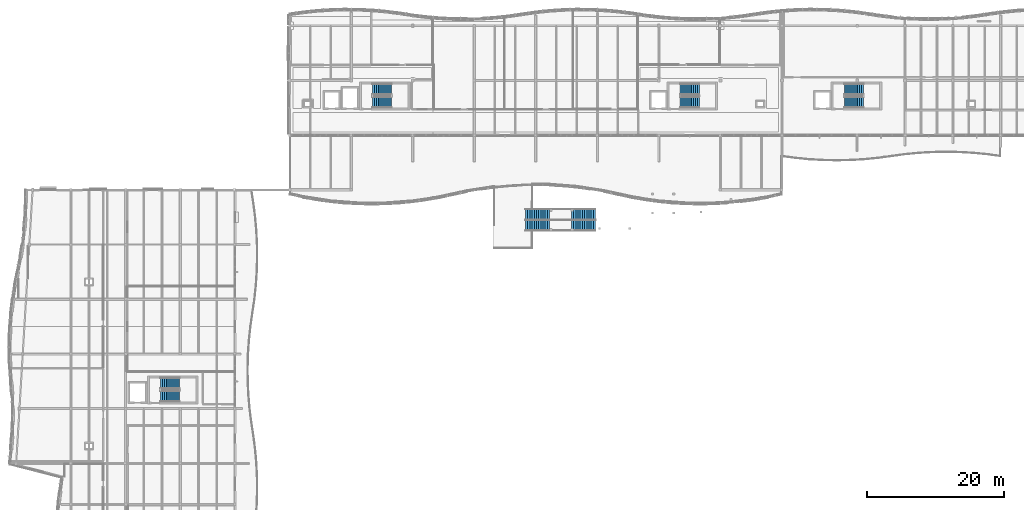
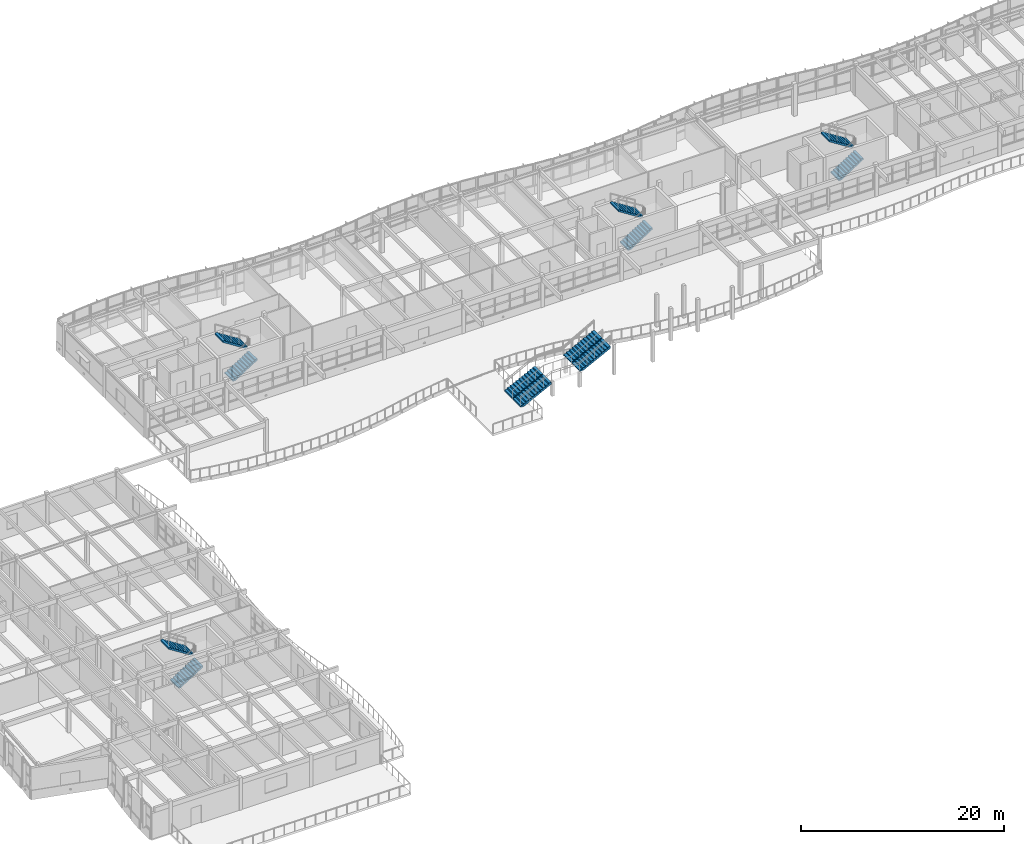
# One storey, part 44 of 63: 12 stair flights, 5 elements without a shape of their own.
"""IFC4 building model written with IfcOpenShell, lengths in metres."""

from ifc_helpers import new_model, si_unit, direction, frame, origin, place, context, subcontext, project, spatial, polyline, outline, extrude, material, type_object, element, aggregate, save


model = new_model("IFC4")

# Units and contexts
model_context = context("Model", 3, precision=1e-05, world=origin(), true_north=direction((0.0, 1.0)))
body_context = subcontext(model_context, "Body", "Model", "MODEL_VIEW")
ifc_project = project(units=[si_unit("LENGTHUNIT", "METRE"), si_unit("AREAUNIT", "SQUARE_METRE"), si_unit("VOLUMEUNIT", "CUBIC_METRE"), si_unit("PLANEANGLEUNIT", "RADIAN"), si_unit("MASSUNIT", "GRAM", prefix="KILO")], contexts=[model_context])

# Site, building, storey
site_placement = place(None, origin())
site = spatial("IfcSite", under=ifc_project, at=site_placement, CompositionType="ELEMENT")
building_placement = place(site_placement, origin())
building = spatial("IfcBuilding", under=site, at=building_placement, Name="Tonlespit Floodbar School", CompositionType="ELEMENT")
storey_placement = place(building_placement, frame((0.0, 0.0, 8.39990234375)))
storey = spatial("IfcBuildingStorey", under=building, at=storey_placement, Name="L02", CompositionType="ELEMENT", Elevation=8.39990234375)

# Stair, stair flights
ifc_material_1 = material(Name="Concrete C40/50", Category="concrete")
stair_type_1 = type_object("IfcStairType", Name="Stair_Core_Upper", PredefinedType="HALF_TURN_STAIR", material=ifc_material_1)
stair_1_placement = place(storey_placement, origin())
stair_1 = element("IfcStair", 1, at=stair_1_placement, inside=storey, type_object=stair_type_1, Name="L02 Core C1 escape stair", PredefinedType="HALF_TURN_STAIR")
stair_flight_type_1 = type_object("IfcStairFlightType", Name="Flight_Core_Upper", PredefinedType="STRAIGHT", material=ifc_material_1)
stair_flight_1_placement = place(storey_placement, frame((56.1201171875, 108.81005859375, 0.0), z_axis=(0.0, 0.0, 1.0), x_axis=(1.0, 0.0, 0.0)))
stair_flight_1 = element("IfcStairFlight", 2, at=stair_flight_1_placement, type_object=stair_flight_type_1, Name="ST-C1 flight 1", NumberOfRisers=11, NumberOfTreads=10, PredefinedType="STRAIGHT", RiserHeight=0.177272727, TreadLength=0.28, context=body_context, shape_type="SweptSolid", body=[
    extrude(outline(polyline([(0.0, 0.0), (0.0, 0.17724609375), (0.280029296875, 0.17724609375), (0.280029296875, 0.3544921875), (0.56005859375, 0.3544921875), (0.56005859375, 0.53173828125), (0.840087890625, 0.53173828125), (0.840087890625, 0.708984375), (1.1201171875, 0.708984375), (1.1201171875, 0.886474609375), (1.39990234375, 0.886474609375), (1.39990234375, 1.063720703125), (1.679931640625, 1.063720703125), (1.679931640625, 1.240966796875), (1.9599609375, 1.240966796875), (1.9599609375, 1.418212890625), (2.239990234375, 1.418212890625), (2.239990234375, 1.595458984375), (2.52001953125, 1.595458984375), (2.52001953125, 1.772705078125), (2.800048828125, 1.772705078125), (2.800048828125, 1.949951171875), (2.800048828125, 1.59521484375), (0.2802734375, 0.0), (0.0, 0.0)])), frame((0.0, 0.81005859375, 0.0), z_axis=(0.0, -1.0, 0.0), x_axis=(1.0, 0.0, 0.0)), (0.0, 0.0, 1.0), 1.6201171875),
])
stair_flight_2_placement = place(storey_placement, frame((58.919921875, 110.72998046875, 1.9501953125), z_axis=(0.0, 0.0, 1.0), x_axis=(-1.0, 0.0, 0.0)))
stair_flight_2 = element("IfcStairFlight", 3, at=stair_flight_2_placement, type_object=stair_flight_type_1, Name="ST-C1 flight 2", NumberOfRisers=11, NumberOfTreads=10, PredefinedType="STRAIGHT", RiserHeight=0.177272727, TreadLength=0.28, context=body_context, shape_type="SweptSolid", body=[
    extrude(outline(polyline([(0.0, 0.0), (0.0, 0.17724609375), (0.280029296875, 0.17724609375), (0.280029296875, 0.3544921875), (0.56005859375, 0.3544921875), (0.56005859375, 0.53173828125), (0.840087890625, 0.53173828125), (0.840087890625, 0.708984375), (1.1201171875, 0.708984375), (1.1201171875, 0.886474609375), (1.39990234375, 0.886474609375), (1.39990234375, 1.063720703125), (1.679931640625, 1.063720703125), (1.679931640625, 1.240966796875), (1.9599609375, 1.240966796875), (1.9599609375, 1.418212890625), (2.239990234375, 1.418212890625), (2.239990234375, 1.595458984375), (2.52001953125, 1.595458984375), (2.52001953125, 1.772705078125), (2.800048828125, 1.772705078125), (2.800048828125, 1.949951171875), (2.800048828125, 1.59521484375), (0.2802734375, 0.0), (0.0, 0.0)])), frame((0.0, 0.81005859375, 0.0), z_axis=(0.0, -1.0, 0.0), x_axis=(1.0, 0.0, 0.0)), (0.0, 0.0, 1.0), 1.6201171875),
])
aggregate(stair_1, [stair_flight_1, stair_flight_2])

stair_2_placement = place(storey_placement, origin())
stair_2 = element("IfcStair", 4, at=stair_2_placement, inside=storey, type_object=stair_type_1, Name="L02 Core C2 escape stair", PredefinedType="HALF_TURN_STAIR")
stair_flight_3_placement = place(storey_placement, frame((101.1201171875, 108.81005859375, 0.0), z_axis=(0.0, 0.0, 1.0), x_axis=(1.0, 0.0, 0.0)))
stair_flight_3 = element("IfcStairFlight", 5, at=stair_flight_3_placement, type_object=stair_flight_type_1, Name="ST-C2 flight 1", NumberOfRisers=11, NumberOfTreads=10, PredefinedType="STRAIGHT", RiserHeight=0.177272727, TreadLength=0.28, context=body_context, shape_type="SweptSolid", body=[
    extrude(outline(polyline([(0.0, 0.0), (0.0, 0.17724609375), (0.280029296875, 0.17724609375), (0.280029296875, 0.3544921875), (0.56005859375, 0.3544921875), (0.56005859375, 0.53173828125), (0.840087890625, 0.53173828125), (0.840087890625, 0.708984375), (1.1201171875, 0.708984375), (1.1201171875, 0.886474609375), (1.39990234375, 0.886474609375), (1.39990234375, 1.063720703125), (1.679931640625, 1.063720703125), (1.679931640625, 1.240966796875), (1.9599609375, 1.240966796875), (1.9599609375, 1.418212890625), (2.239990234375, 1.418212890625), (2.239990234375, 1.595458984375), (2.52001953125, 1.595458984375), (2.52001953125, 1.772705078125), (2.800048828125, 1.772705078125), (2.800048828125, 1.949951171875), (2.800048828125, 1.59521484375), (0.2802734375, 0.0), (0.0, 0.0)])), frame((0.0, 0.81005859375, 0.0), z_axis=(0.0, -1.0, 0.0), x_axis=(1.0, 0.0, 0.0)), (0.0, 0.0, 1.0), 1.6201171875),
])
stair_flight_4_placement = place(storey_placement, frame((103.919921875, 110.72998046875, 1.9501953125), z_axis=(0.0, 0.0, 1.0), x_axis=(-1.0, 0.0, 0.0)))
stair_flight_4 = element("IfcStairFlight", 6, at=stair_flight_4_placement, type_object=stair_flight_type_1, Name="ST-C2 flight 2", NumberOfRisers=11, NumberOfTreads=10, PredefinedType="STRAIGHT", RiserHeight=0.177272727, TreadLength=0.28, context=body_context, shape_type="SweptSolid", body=[
    extrude(outline(polyline([(0.0, 0.0), (0.0, 0.17724609375), (0.280029296875, 0.17724609375), (0.280029296875, 0.3544921875), (0.56005859375, 0.3544921875), (0.56005859375, 0.53173828125), (0.840087890625, 0.53173828125), (0.840087890625, 0.708984375), (1.1201171875, 0.708984375), (1.1201171875, 0.886474609375), (1.39990234375, 0.886474609375), (1.39990234375, 1.063720703125), (1.679931640625, 1.063720703125), (1.679931640625, 1.240966796875), (1.9599609375, 1.240966796875), (1.9599609375, 1.418212890625), (2.239990234375, 1.418212890625), (2.239990234375, 1.595458984375), (2.52001953125, 1.595458984375), (2.52001953125, 1.772705078125), (2.800048828125, 1.772705078125), (2.800048828125, 1.949951171875), (2.800048828125, 1.59521484375), (0.2802734375, 0.0), (0.0, 0.0)])), frame((0.0, 0.81005859375, 0.0), z_axis=(0.0, -1.0, 0.0), x_axis=(1.0, 0.0, 0.0)), (0.0, 0.0, 1.0), 1.6201171875),
])
aggregate(stair_2, [stair_flight_3, stair_flight_4])

stair_3_placement = place(storey_placement, origin())
stair_3 = element("IfcStair", 7, at=stair_3_placement, inside=storey, type_object=stair_type_1, Name="L02 Core C3 escape stair", PredefinedType="HALF_TURN_STAIR")
stair_flight_5_placement = place(storey_placement, frame((25.1201171875, 65.81005859375, 0.0), z_axis=(0.0, 0.0, 1.0), x_axis=(1.0, 0.0, 0.0)))
stair_flight_5 = element("IfcStairFlight", 8, at=stair_flight_5_placement, type_object=stair_flight_type_1, Name="ST-C3 flight 1", NumberOfRisers=11, NumberOfTreads=10, PredefinedType="STRAIGHT", RiserHeight=0.177272727, TreadLength=0.28, context=body_context, shape_type="SweptSolid", body=[
    extrude(outline(polyline([(0.0, 0.0), (0.0, 0.17724609375), (0.280029296875, 0.17724609375), (0.280029296875, 0.3544921875), (0.56005859375, 0.3544921875), (0.56005859375, 0.53173828125), (0.840087890625, 0.53173828125), (0.840087890625, 0.708984375), (1.1201171875, 0.708984375), (1.1201171875, 0.886474609375), (1.39990234375, 0.886474609375), (1.39990234375, 1.063720703125), (1.679931640625, 1.063720703125), (1.679931640625, 1.240966796875), (1.9599609375, 1.240966796875), (1.9599609375, 1.418212890625), (2.239990234375, 1.418212890625), (2.239990234375, 1.595458984375), (2.52001953125, 1.595458984375), (2.52001953125, 1.772705078125), (2.800048828125, 1.772705078125), (2.800048828125, 1.949951171875), (2.800048828125, 1.59521484375), (0.2802734375, 0.0), (0.0, 0.0)])), frame((0.0, 0.81005859375, 0.0), z_axis=(0.0, -1.0, 0.0), x_axis=(1.0, 0.0, 0.0)), (0.0, 0.0, 1.0), 1.6201171875),
])
stair_flight_6_placement = place(storey_placement, frame((27.919921875, 67.72998046875, 1.9501953125), z_axis=(0.0, 0.0, 1.0), x_axis=(-1.0, 0.0, 0.0)))
stair_flight_6 = element("IfcStairFlight", 9, at=stair_flight_6_placement, type_object=stair_flight_type_1, Name="ST-C3 flight 2", NumberOfRisers=11, NumberOfTreads=10, PredefinedType="STRAIGHT", RiserHeight=0.177272727, TreadLength=0.28, context=body_context, shape_type="SweptSolid", body=[
    extrude(outline(polyline([(0.0, 0.0), (0.0, 0.17724609375), (0.280029296875, 0.17724609375), (0.280029296875, 0.3544921875), (0.56005859375, 0.3544921875), (0.56005859375, 0.53173828125), (0.840087890625, 0.53173828125), (0.840087890625, 0.708984375), (1.1201171875, 0.708984375), (1.1201171875, 0.886474609375), (1.39990234375, 0.886474609375), (1.39990234375, 1.063720703125), (1.679931640625, 1.063720703125), (1.679931640625, 1.240966796875), (1.9599609375, 1.240966796875), (1.9599609375, 1.418212890625), (2.239990234375, 1.418212890625), (2.239990234375, 1.595458984375), (2.52001953125, 1.595458984375), (2.52001953125, 1.772705078125), (2.800048828125, 1.772705078125), (2.800048828125, 1.949951171875), (2.800048828125, 1.59521484375), (0.2802734375, 0.0), (0.0, 0.0)])), frame((0.0, 0.81005859375, 0.0), z_axis=(0.0, -1.0, 0.0), x_axis=(1.0, 0.0, 0.0)), (0.0, 0.0, 1.0), 1.6201171875),
])
aggregate(stair_3, [stair_flight_5, stair_flight_6])

stair_4_placement = place(storey_placement, origin())
stair_4 = element("IfcStair", 10, at=stair_4_placement, inside=storey, type_object=stair_type_1, Name="L02 Core C4 escape stair", PredefinedType="HALF_TURN_STAIR")
stair_flight_7_placement = place(storey_placement, frame((125.1201171875, 108.81005859375, 0.0), z_axis=(0.0, 0.0, 1.0), x_axis=(1.0, 0.0, 0.0)))
stair_flight_7 = element("IfcStairFlight", 11, at=stair_flight_7_placement, type_object=stair_flight_type_1, Name="ST-C4 flight 1", NumberOfRisers=11, NumberOfTreads=10, PredefinedType="STRAIGHT", RiserHeight=0.177272727, TreadLength=0.28, context=body_context, shape_type="SweptSolid", body=[
    extrude(outline(polyline([(0.0, 0.0), (0.0, 0.17724609375), (0.280029296875, 0.17724609375), (0.280029296875, 0.3544921875), (0.56005859375, 0.3544921875), (0.56005859375, 0.53173828125), (0.840087890625, 0.53173828125), (0.840087890625, 0.708984375), (1.1201171875, 0.708984375), (1.1201171875, 0.886474609375), (1.39990234375, 0.886474609375), (1.39990234375, 1.063720703125), (1.679931640625, 1.063720703125), (1.679931640625, 1.240966796875), (1.9599609375, 1.240966796875), (1.9599609375, 1.418212890625), (2.239990234375, 1.418212890625), (2.239990234375, 1.595458984375), (2.52001953125, 1.595458984375), (2.52001953125, 1.772705078125), (2.800048828125, 1.772705078125), (2.800048828125, 1.949951171875), (2.800048828125, 1.59521484375), (0.2802734375, 0.0), (0.0, 0.0)])), frame((0.0, 0.81005859375, 0.0), z_axis=(0.0, -1.0, 0.0), x_axis=(1.0, 0.0, 0.0)), (0.0, 0.0, 1.0), 1.6201171875),
])
stair_flight_8_placement = place(storey_placement, frame((127.919921875, 110.72998046875, 1.9501953125), z_axis=(0.0, 0.0, 1.0), x_axis=(-1.0, 0.0, 0.0)))
stair_flight_8 = element("IfcStairFlight", 12, at=stair_flight_8_placement, type_object=stair_flight_type_1, Name="ST-C4 flight 2", NumberOfRisers=11, NumberOfTreads=10, PredefinedType="STRAIGHT", RiserHeight=0.177272727, TreadLength=0.28, context=body_context, shape_type="SweptSolid", body=[
    extrude(outline(polyline([(0.0, 0.0), (0.0, 0.17724609375), (0.280029296875, 0.17724609375), (0.280029296875, 0.3544921875), (0.56005859375, 0.3544921875), (0.56005859375, 0.53173828125), (0.840087890625, 0.53173828125), (0.840087890625, 0.708984375), (1.1201171875, 0.708984375), (1.1201171875, 0.886474609375), (1.39990234375, 0.886474609375), (1.39990234375, 1.063720703125), (1.679931640625, 1.063720703125), (1.679931640625, 1.240966796875), (1.9599609375, 1.240966796875), (1.9599609375, 1.418212890625), (2.239990234375, 1.418212890625), (2.239990234375, 1.595458984375), (2.52001953125, 1.595458984375), (2.52001953125, 1.772705078125), (2.800048828125, 1.772705078125), (2.800048828125, 1.949951171875), (2.800048828125, 1.59521484375), (0.2802734375, 0.0), (0.0, 0.0)])), frame((0.0, 0.81005859375, 0.0), z_axis=(0.0, -1.0, 0.0), x_axis=(1.0, 0.0, 0.0)), (0.0, 0.0, 1.0), 1.6201171875),
])
aggregate(stair_4, [stair_flight_7, stair_flight_8])

ifc_material_2 = material(Name="White Architectural Precast concrete C40/50", Category="concrete")
stair_type_2 = type_object("IfcStairType", Name="Stair_Court_3200_Upp", PredefinedType="STRAIGHT_RUN_STAIR", material=ifc_material_2)
stair_5_placement = place(storey_placement, origin())
stair_5 = element("IfcStair", 13, at=stair_5_placement, inside=storey, type_object=stair_type_2, Name="L02 stair ST-CT3", PredefinedType="STRAIGHT_RUN_STAIR")
stair_flight_type_2 = type_object("IfcStairFlightType", Name="Flight_Court_1540", PredefinedType="STRAIGHT", material=ifc_material_2)
stair_flight_9_placement = place(storey_placement, frame((78.5, 90.77001953125, 0.0), z_axis=(0.0, 0.0, 1.0), x_axis=(1.0, 0.0, 0.0)))
stair_flight_9 = element("IfcStairFlight", 14, at=stair_flight_9_placement, type_object=stair_flight_type_2, Name="ST-CT3 flight 1", NumberOfRisers=12, NumberOfTreads=11, PredefinedType="STRAIGHT", RiserHeight=0.1625, TreadLength=0.32, context=body_context, shape_type="SweptSolid", body=[
    extrude(outline(polyline([(0.0, 0.0), (0.0, 0.16259765625), (0.320068359375, 0.16259765625), (0.320068359375, 0.324951171875), (0.639892578125, 0.324951171875), (0.639892578125, 0.487548828125), (0.9599609375, 0.487548828125), (0.9599609375, 0.64990234375), (1.280029296875, 0.64990234375), (1.280029296875, 0.8125), (1.60009765625, 0.8125), (1.60009765625, 0.97509765625), (1.919921875, 0.97509765625), (1.919921875, 1.137451171875), (2.239990234375, 1.137451171875), (2.239990234375, 1.300048828125), (2.56005859375, 1.300048828125), (2.56005859375, 1.46240234375), (2.8798828125, 1.46240234375), (2.8798828125, 1.625), (3.199951171875, 1.625), (3.199951171875, 1.78759765625), (3.52001953125, 1.78759765625), (3.52001953125, 1.949951171875), (3.52001953125, 1.563232421875), (0.441650390625, 0.0), (0.0, 0.0)])), frame((0.0, 0.77001953125, 0.0), z_axis=(0.0, -1.0, 0.0), x_axis=(1.0, 0.0, 0.0)), (0.0, 0.0, 1.0), 1.5400390625),
])
stair_flight_10_placement = place(storey_placement, frame((85.219970703125, 90.77001953125, 1.9501953125), z_axis=(0.0, 0.0, 1.0), x_axis=(1.0, 0.0, 0.0)))
stair_flight_10 = element("IfcStairFlight", 15, at=stair_flight_10_placement, type_object=stair_flight_type_2, Name="ST-CT3 flight 2", NumberOfRisers=12, NumberOfTreads=11, PredefinedType="STRAIGHT", RiserHeight=0.1625, TreadLength=0.32, context=body_context, shape_type="SweptSolid", body=[
    extrude(outline(polyline([(0.0, 0.0), (0.0, 0.16259765625), (0.320068359375, 0.16259765625), (0.320068359375, 0.324951171875), (0.639892578125, 0.324951171875), (0.639892578125, 0.487548828125), (0.9599609375, 0.487548828125), (0.9599609375, 0.64990234375), (1.280029296875, 0.64990234375), (1.280029296875, 0.8125), (1.60009765625, 0.8125), (1.60009765625, 0.97509765625), (1.919921875, 0.97509765625), (1.919921875, 1.137451171875), (2.239990234375, 1.137451171875), (2.239990234375, 1.300048828125), (2.56005859375, 1.300048828125), (2.56005859375, 1.46240234375), (2.8798828125, 1.46240234375), (2.8798828125, 1.625), (3.199951171875, 1.625), (3.199951171875, 1.78759765625), (3.52001953125, 1.78759765625), (3.52001953125, 1.949951171875), (3.52001953125, 1.563232421875), (0.441650390625, 0.0), (0.0, 0.0)])), frame((0.0, 0.77001953125, 0.0), z_axis=(0.0, -1.0, 0.0), x_axis=(1.0, 0.0, 0.0)), (0.0, 0.0, 1.0), 1.5400390625),
])
stair_flight_11_placement = place(storey_placement, frame((78.5, 92.429931640625, 0.0), z_axis=(0.0, 0.0, 1.0), x_axis=(1.0, 0.0, 0.0)))
stair_flight_11 = element("IfcStairFlight", 16, at=stair_flight_11_placement, type_object=stair_flight_type_2, Name="ST-CT3 flight 3", NumberOfRisers=12, NumberOfTreads=11, PredefinedType="STRAIGHT", RiserHeight=0.1625, TreadLength=0.32, context=body_context, shape_type="SweptSolid", body=[
    extrude(outline(polyline([(0.0, 0.0), (0.0, 0.16259765625), (0.320068359375, 0.16259765625), (0.320068359375, 0.324951171875), (0.639892578125, 0.324951171875), (0.639892578125, 0.487548828125), (0.9599609375, 0.487548828125), (0.9599609375, 0.64990234375), (1.280029296875, 0.64990234375), (1.280029296875, 0.8125), (1.60009765625, 0.8125), (1.60009765625, 0.97509765625), (1.919921875, 0.97509765625), (1.919921875, 1.137451171875), (2.239990234375, 1.137451171875), (2.239990234375, 1.300048828125), (2.56005859375, 1.300048828125), (2.56005859375, 1.46240234375), (2.8798828125, 1.46240234375), (2.8798828125, 1.625), (3.199951171875, 1.625), (3.199951171875, 1.78759765625), (3.52001953125, 1.78759765625), (3.52001953125, 1.949951171875), (3.52001953125, 1.563232421875), (0.441650390625, 0.0), (0.0, 0.0)])), frame((0.0, 0.77001953125, 0.0), z_axis=(0.0, -1.0, 0.0), x_axis=(1.0, 0.0, 0.0)), (0.0, 0.0, 1.0), 1.5400390625),
])
stair_flight_12_placement = place(storey_placement, frame((85.219970703125, 92.429931640625, 1.9501953125), z_axis=(0.0, 0.0, 1.0), x_axis=(1.0, 0.0, 0.0)))
stair_flight_12 = element("IfcStairFlight", 17, at=stair_flight_12_placement, type_object=stair_flight_type_2, Name="ST-CT3 flight 4", NumberOfRisers=12, NumberOfTreads=11, PredefinedType="STRAIGHT", RiserHeight=0.1625, TreadLength=0.32, context=body_context, shape_type="SweptSolid", body=[
    extrude(outline(polyline([(0.0, 0.0), (0.0, 0.16259765625), (0.320068359375, 0.16259765625), (0.320068359375, 0.324951171875), (0.639892578125, 0.324951171875), (0.639892578125, 0.487548828125), (0.9599609375, 0.487548828125), (0.9599609375, 0.64990234375), (1.280029296875, 0.64990234375), (1.280029296875, 0.8125), (1.60009765625, 0.8125), (1.60009765625, 0.97509765625), (1.919921875, 0.97509765625), (1.919921875, 1.137451171875), (2.239990234375, 1.137451171875), (2.239990234375, 1.300048828125), (2.56005859375, 1.300048828125), (2.56005859375, 1.46240234375), (2.8798828125, 1.46240234375), (2.8798828125, 1.625), (3.199951171875, 1.625), (3.199951171875, 1.78759765625), (3.52001953125, 1.78759765625), (3.52001953125, 1.949951171875), (3.52001953125, 1.563232421875), (0.441650390625, 0.0), (0.0, 0.0)])), frame((0.0, 0.77001953125, 0.0), z_axis=(0.0, -1.0, 0.0), x_axis=(1.0, 0.0, 0.0)), (0.0, 0.0, 1.0), 1.5400390625),
])
aggregate(stair_5, [stair_flight_9, stair_flight_10, stair_flight_11, stair_flight_12])

save(model, "model.ifc")
